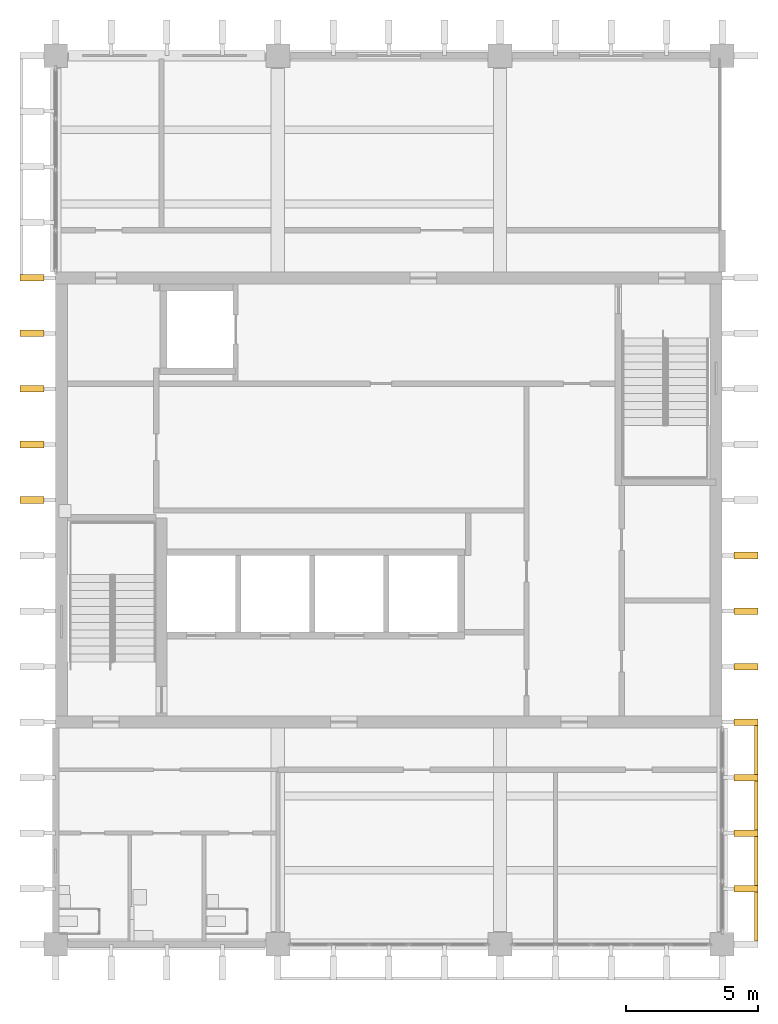
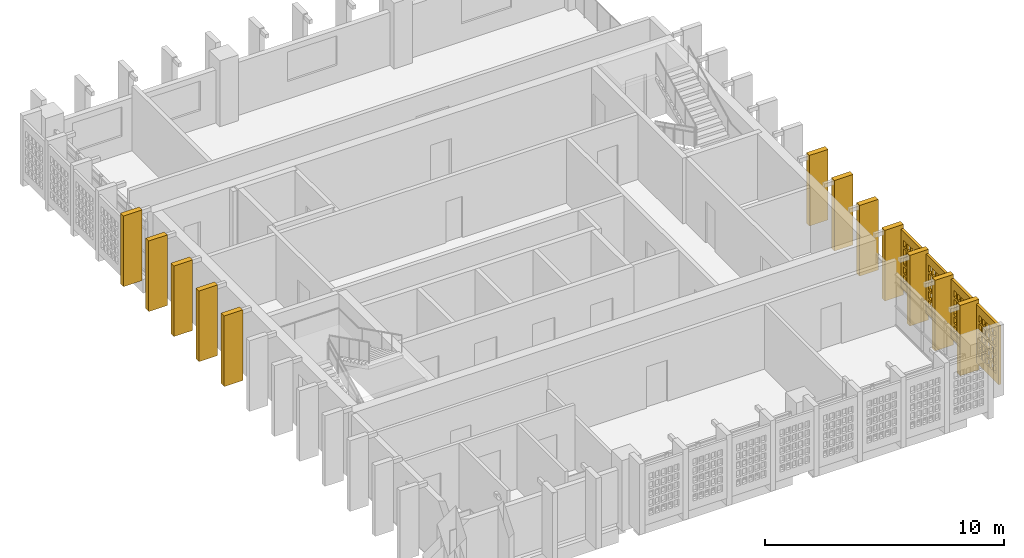
# One storey, part 10 of 13: 16 shading devices, 4 openings.
"""IFC4 building model written with IfcOpenShell, lengths in metres."""

import ifcopenshell
import ifcopenshell.guid

model = None  # the IFC model being written
_history = None  # IfcOwnerHistory: only IFC2X3 demands one
_inside = {}  # id of a spatial element -> (the spatial element, [elements in it])
_under = {}  # id of a project, library or spatial element -> (it, [spatial elements below it])
_declared = {}  # id of a project -> (the project, [libraries it declares])
_typed = {}  # id of a type object -> (the type object, [elements of that type])
_made_of = {}  # id of a material, layer set ... -> (it, [elements and type objects made of it])


def new_model(schema):
    """Start an empty IFC model of exactly this schema.

    Asked for "IFC4X3", IfcOpenShell would pick the latest addendum, in which some entities
    have other attributes; the version numbers below select the first issue.
    IFC2X3 requires an IfcOwnerHistory on every rooted entity: one is made here for all.
    """
    global model, _history
    if schema == "IFC4X3":
        model = ifcopenshell.file(schema_version=(4, 3, 0, 0))
    else:
        model = ifcopenshell.file(schema=schema)
    _inside.clear()
    _under.clear()
    _declared.clear()
    _typed.clear()
    _made_of.clear()
    _history = None
    if model.schema == "IFC2X3":
        org = make("IfcOrganization", Name="unknown")
        user = make(
            "IfcPersonAndOrganization",
            ThePerson=make("IfcPerson", FamilyName="unknown"),
            TheOrganization=org,
        )
        app = make(
            "IfcApplication",
            ApplicationDeveloper=org,
            Version="unknown",
            ApplicationFullName="unknown",
            ApplicationIdentifier="unknown",
        )
        _history = make(
            "IfcOwnerHistory",
            OwningUser=user,
            OwningApplication=app,
            ChangeAction="ADDED",
            CreationDate=0,
        )
    return model


def make(cls, **values):
    """One entity of the class cls with the attributes given. An attribute that is None is left unset."""
    return model.create_entity(
        cls, **{name: value for name, value in values.items() if value is not None}
    )


def rooted(cls, **values):
    """An entity with a GlobalId (a new one), such as an element, a storey or a relation."""
    return make(cls, GlobalId=ifcopenshell.guid.new(), OwnerHistory=_history, **values)


def si_unit(unit_type, name, prefix=None):
    """IfcSIUnit, for example si_unit("LENGTHUNIT", "METRE", prefix="MILLI")."""
    return make("IfcSIUnit", UnitType=unit_type, Prefix=prefix, Name=name)


def assignment(units):
    """IfcUnitAssignment: the units of a project."""
    return None if units is None else make("IfcUnitAssignment", Units=units)


def point(xyz):
    """IfcCartesianPoint."""
    return None if xyz is None else make("IfcCartesianPoint", Coordinates=xyz)


def direction(xyz):
    """IfcDirection."""
    return None if xyz is None else make("IfcDirection", DirectionRatios=xyz)


def frame(location, z_axis=None, x_axis=None):
    """IfcAxis2Placement3D, a coordinate frame: its origin and axes. An axis left out is left unset."""
    return make(
        "IfcAxis2Placement3D",
        Location=point(location),
        Axis=direction(z_axis),
        RefDirection=direction(x_axis),
    )


def frame_2d(location, x_axis=None):
    """IfcAxis2Placement2D, a coordinate frame in the plane: its origin and x axis."""
    return make(
        "IfcAxis2Placement2D", Location=point(location), RefDirection=direction(x_axis)
    )


def origin():
    """The frame at (0, 0, 0) with its axes left unset."""
    return frame((0.0, 0.0, 0.0))


def origin_2d():
    """The frame at (0, 0) in the plane with its x axis left unset."""
    return frame_2d((0.0, 0.0))


def place(relative_to, where):
    """IfcLocalPlacement: puts the frame where relative to a parent placement (None: the world)."""
    return make(
        "IfcLocalPlacement", PlacementRelTo=relative_to, RelativePlacement=where
    )


def context(
    kind, dimensions, precision=None, world=None, true_north=None, identifier=None
):
    """IfcGeometricRepresentationContext, for example the 3D "Model" context."""
    return make(
        "IfcGeometricRepresentationContext",
        ContextIdentifier=identifier,
        ContextType=kind,
        CoordinateSpaceDimension=dimensions,
        Precision=precision,
        WorldCoordinateSystem=world,
        TrueNorth=true_north,
    )


def subcontext(parent, identifier, kind, view, scale=None):
    """IfcGeometricRepresentationSubContext, for example "Body" below "Model"."""
    return make(
        "IfcGeometricRepresentationSubContext",
        ContextIdentifier=identifier,
        ContextType=kind,
        ParentContext=parent,
        TargetScale=scale,
        TargetView=view,
    )


def project(units=None, contexts=None):
    """IfcProject with its units and contexts."""
    return rooted(
        "IfcProject",
        Name="project",
        RepresentationContexts=contexts,
        UnitsInContext=assignment(units),
    )


def spatial(cls, under=None, at=None, **own):
    """A site, building, storey or space (cls), placed at a placement, below another one or the project."""
    s = rooted(cls, ObjectPlacement=at, **own)
    if under is not None:
        _under.setdefault(under.id(), (under, []))[1].append(s)
    return s


def profile(cls, at=None, kind="AREA", **sizes):
    """A parametric profile (cls). Its sizes go by their IFC names, for example OverallWidth=200.0."""
    return make(cls, ProfileType=kind, Position=at, **sizes)


def rectangle(**sizes):
    """IfcRectangleProfileDef."""
    return profile("IfcRectangleProfileDef", **sizes)


def extrude(swept, where, along, depth):
    """IfcExtrudedAreaSolid: the profile swept, set in the frame where, extruded along a direction by depth."""
    return make(
        "IfcExtrudedAreaSolid",
        SweptArea=swept,
        Position=where,
        ExtrudedDirection=direction(along),
        Depth=depth,
    )


def shape(context_of_items, identifier, shape_type, items):
    """IfcShapeRepresentation: the items that make up one representation, for example the "Body"."""
    return make(
        "IfcShapeRepresentation",
        ContextOfItems=context_of_items,
        RepresentationIdentifier=identifier,
        RepresentationType=shape_type,
        Items=items,
    )


def material(Name=None, Category=None):
    """IfcMaterial."""
    return make("IfcMaterial", Name=Name, Category=Category)


def layer(
    of_material, thickness, ventilated=None, Name=None, Category=None, Priority=None
):
    """IfcMaterialLayer: one layer of a wall or slab, of a material (None: an air gap)."""
    return make(
        "IfcMaterialLayer",
        Material=of_material,
        LayerThickness=thickness,
        IsVentilated=ventilated,
        Name=Name,
        Category=Category,
        Priority=Priority,
    )


def layer_set(layers, Name=None):
    """IfcMaterialLayerSet."""
    return make("IfcMaterialLayerSet", MaterialLayers=layers, LayerSetName=Name)


def material_profile(
    of_material, cross_section, Name=None, Category=None, Priority=None
):
    """IfcMaterialProfile: a cross section and its material."""
    return make(
        "IfcMaterialProfile",
        Name=Name,
        Material=of_material,
        Profile=cross_section,
        Priority=Priority,
        Category=Category,
    )


def profile_set(profiles, Name=None, composite=None):
    """IfcMaterialProfileSet."""
    return make(
        "IfcMaterialProfileSet",
        Name=Name,
        MaterialProfiles=profiles,
        CompositeProfile=composite,
    )


def made_of(thing, what):
    """Note that an element or type object is made of a material, layer set ...; save() writes the relation."""
    if what is not None:
        _made_of.setdefault(what.id(), (what, []))[1].append(thing)
    return thing


def type_object(cls, material=None, **own):
    """A type object (cls), such as IfcWallType, which elements share."""
    return made_of(rooted(cls, **own), material)


def element(
    cls,
    number,
    at=None,
    inside=None,
    cuts=None,
    type_object=None,
    material=None,
    context=None,
    identifier="Body",
    shape_type=None,
    held_by="IfcProductDefinitionShape",
    body=None,
    shapes=None,
    **own,
):
    """One element of the class cls, such as IfcWall. Its Tag is "e" and its number.

    at: its placement. inside: the storey or other place that contains it. cuts: it is an
    opening in that element (IfcRelVoidsElement). A single representation is given by context,
    identifier, shape_type and body (its items); several are given by shapes. held_by: the class
    of the entity that holds the representations. save() writes the other relations.
    """
    e = rooted(cls, Tag="e%d" % number, ObjectPlacement=at, **own)
    if body is not None:
        shapes = [shape(context, identifier, shape_type, body)]
    if shapes is not None:
        e.Representation = make(held_by, Representations=shapes)
    if inside is not None:
        _inside.setdefault(inside.id(), (inside, []))[1].append(e)
    if cuts is not None:
        rooted(
            "IfcRelVoidsElement", RelatingBuildingElement=cuts, RelatedOpeningElement=e
        )
    if type_object is not None:
        _typed.setdefault(type_object.id(), (type_object, []))[1].append(e)
    return made_of(e, material)


def aggregate(whole, parts):
    """IfcRelAggregates: a whole, such as a stair, and the parts it consists of."""
    return rooted("IfcRelAggregates", RelatingObject=whole, RelatedObjects=parts)


def save(model, path):
    """Write the relations noted so far, then the file.

    IfcRelAggregates (storeys below a building ...), IfcRelContainedInSpatialStructure (elements
    in a storey), IfcRelDefinesByType, IfcRelAssociatesMaterial and IfcRelDeclares: one each for
    every whole, place, type object, material and project.
    """
    for whole, parts in _under.values():
        aggregate(whole, parts)
    for where, things in _inside.values():
        rooted(
            "IfcRelContainedInSpatialStructure",
            RelatedElements=things,
            RelatingStructure=where,
        )
    for kind, things in _typed.values():
        rooted("IfcRelDefinesByType", RelatedObjects=things, RelatingType=kind)
    for what, things in _made_of.values():
        rooted("IfcRelAssociatesMaterial", RelatedObjects=things, RelatingMaterial=what)
    for by, libraries in _declared.values():
        rooted("IfcRelDeclares", RelatingContext=by, RelatedDefinitions=libraries)
    model.write(path)


model = new_model("IFC4")

# Units and contexts
model_context = context("Model", 3, precision=1e-05, world=origin(), true_north=direction((0.0, 1.0)))
body_context = subcontext(model_context, "Body", "Model", "MODEL_VIEW")
ifc_project = project(units=[si_unit("LENGTHUNIT", "METRE"), si_unit("AREAUNIT", "SQUARE_METRE"), si_unit("VOLUMEUNIT", "CUBIC_METRE"), si_unit("PLANEANGLEUNIT", "RADIAN"), si_unit("MASSUNIT", "GRAM", prefix="KILO")], contexts=[model_context])

# Site, building, storey
site_placement = place(None, origin())
site = spatial("IfcSite", under=ifc_project, at=site_placement, CompositionType="ELEMENT")
building_placement = place(site_placement, origin())
building = spatial("IfcBuilding", under=site, at=building_placement, Name="Rulbaag Community and Learning Centre", CompositionType="ELEMENT")
storey_placement = place(building_placement, frame((0.0, 0.0, 25.199951171875)))
storey = spatial("IfcBuildingStorey", under=building, at=storey_placement, Name="L06", CompositionType="ELEMENT", Elevation=25.199951171875)

# Shading devices
ifc_material = material(Name="Concrete M40", Category="concrete")
ifc_material_profile = material_profile(ifc_material, rectangle(XDim=0.25, YDim=0.89990234375, at=origin_2d()), Name="PC 250x900")
ifc_profile_set = profile_set([ifc_material_profile], Name="Concrete M40")
shading_device_type_1 = type_object("IfcShadingDeviceType", Name="FIN-H", PredefinedType="JALOUSIE", material=ifc_profile_set)
for number, where, z_axis, x_axis, name in (
    (1, (141.89990234375, 100.800048828125, 0.0), (0.0, 0.0, 1.0), (0.0, 1.0, 0.0), "Precast fin"),
    (2, (141.89990234375, 102.89990234375, 0.0), (0.0, 0.0, 1.0), (0.0, 1.0, 0.0), "Precast fin"),
    (3, (141.89990234375, 105.0, 0.0), (0.0, 0.0, 1.0), (0.0, 1.0, 0.0), "Precast fin"),
    (4, (141.89990234375, 107.10009765625, 0.0), (0.0, 0.0, 1.0), (0.0, 1.0, 0.0), "Precast fin"),
    (5, (141.89990234375, 109.199951171875, 0.0), (0.0, 0.0, 1.0), (0.0, 1.0, 0.0), "Precast fin"),
    (6, (168.89990234375, 86.10009765625, 0.0), (0.0, 0.0, 1.0), (0.0, 1.0, 0.0), "Precast fin"),
    (7, (168.89990234375, 88.199951171875, 0.0), (0.0, 0.0, 1.0), (0.0, 1.0, 0.0), "Precast fin"),
    (8, (168.89990234375, 90.300048828125, 0.0), (0.0, 0.0, 1.0), (0.0, 1.0, 0.0), "Precast fin"),
    (9, (168.89990234375, 92.39990234375, 0.0), (0.0, 0.0, 1.0), (0.0, 1.0, 0.0), "Precast fin"),
    (10, (168.89990234375, 94.5, 0.0), (0.0, 0.0, 1.0), (0.0, 1.0, 0.0), "Precast fin"),
    (11, (168.89990234375, 96.60009765625, 0.0), (0.0, 0.0, 1.0), (0.0, 1.0, 0.0), "Precast fin"),
    (12, (168.89990234375, 98.699951171875, 0.0), (0.0, 0.0, 1.0), (0.0, 1.0, 0.0), "Precast fin"),
):
    element("IfcShadingDevice", number, at=place(storey_placement, frame(where, z_axis=z_axis, x_axis=x_axis)), inside=storey, type_object=shading_device_type_1, Name=name, PredefinedType="JALOUSIE", context=body_context, shape_type="SweptSolid", body=[
        extrude(rectangle(XDim=0.25, YDim=0.89990234375, at=origin_2d()), origin(), (0.0, 0.0, 1.0), 3.60009765625),
    ])

# Shading device, opening
ifc_layer = layer(ifc_material, 0.1201171875)
ifc_layer_set = layer_set([ifc_layer], Name="JB-83")
shading_device_type_2 = type_object("IfcShadingDeviceType", Name="JB-83", PredefinedType="SHUTTER", material=ifc_layer_set)
shading_device_1_placement = place(storey_placement, frame((169.2900390625, 85.050048828125, 0.400146484375), z_axis=(0.0, 0.0, 1.0), x_axis=(1.0, 0.0, 0.0)))
shading_device_1 = element("IfcShadingDevice", 13, at=shading_device_1_placement, inside=storey, type_object=shading_device_type_2, Name="Jaali screen", PredefinedType="SHUTTER", context=body_context, shape_type="SweptSolid", body=[
    extrude(rectangle(XDim=0.1201171875, YDim=1.85009765625, at=origin_2d()), origin(), (0.0, 0.0, 1.0), 3.0),
])
opening_1_placement = place(shading_device_1_placement, origin())
element("IfcOpeningElement", 14, at=opening_1_placement, cuts=shading_device_1, Name="Perforation JB1", PredefinedType="OPENING", context=body_context, shape_type="SweptSolid", body=[
    extrude(rectangle(XDim=0.22509765625, YDim=0.340087890625, at=origin_2d()), frame((-0.070068359375, -0.60009765625, 0.60009765625), z_axis=(1.0, 0.0, 0.0), x_axis=(0.0, 1.0, 0.0)), (0.0, 0.0, 1.0), 0.139892578125),
    extrude(rectangle(XDim=0.22509765625, YDim=0.340087890625, at=origin_2d()), frame((-0.070068359375, -0.300048828125, 0.60009765625), z_axis=(1.0, 0.0, 0.0), x_axis=(0.0, 1.0, 0.0)), (0.0, 0.0, 1.0), 0.139892578125),
    extrude(rectangle(XDim=0.22509765625, YDim=0.340087890625, at=origin_2d()), frame((-0.070068359375, 0.0, 0.60009765625), z_axis=(1.0, 0.0, 0.0), x_axis=(0.0, 1.0, 0.0)), (0.0, 0.0, 1.0), 0.139892578125),
    extrude(rectangle(XDim=0.22509765625, YDim=0.340087890625, at=origin_2d()), frame((-0.070068359375, 0.300048828125, 0.60009765625), z_axis=(1.0, 0.0, 0.0), x_axis=(0.0, 1.0, 0.0)), (0.0, 0.0, 1.0), 0.139892578125),
    extrude(rectangle(XDim=0.22509765625, YDim=0.340087890625, at=origin_2d()), frame((-0.070068359375, 0.60009765625, 0.60009765625), z_axis=(1.0, 0.0, 0.0), x_axis=(0.0, 1.0, 0.0)), (0.0, 0.0, 1.0), 0.139892578125),
    extrude(rectangle(XDim=0.22509765625, YDim=0.340087890625, at=origin_2d()), frame((-0.070068359375, -0.60009765625, 1.050048828125), z_axis=(1.0, 0.0, 0.0), x_axis=(0.0, 1.0, 0.0)), (0.0, 0.0, 1.0), 0.139892578125),
    extrude(rectangle(XDim=0.22509765625, YDim=0.340087890625, at=origin_2d()), frame((-0.070068359375, -0.300048828125, 1.050048828125), z_axis=(1.0, 0.0, 0.0), x_axis=(0.0, 1.0, 0.0)), (0.0, 0.0, 1.0), 0.139892578125),
    extrude(rectangle(XDim=0.22509765625, YDim=0.340087890625, at=origin_2d()), frame((-0.070068359375, 0.0, 1.050048828125), z_axis=(1.0, 0.0, 0.0), x_axis=(0.0, 1.0, 0.0)), (0.0, 0.0, 1.0), 0.139892578125),
    extrude(rectangle(XDim=0.22509765625, YDim=0.340087890625, at=origin_2d()), frame((-0.070068359375, 0.300048828125, 1.050048828125), z_axis=(1.0, 0.0, 0.0), x_axis=(0.0, 1.0, 0.0)), (0.0, 0.0, 1.0), 0.139892578125),
    extrude(rectangle(XDim=0.22509765625, YDim=0.340087890625, at=origin_2d()), frame((-0.070068359375, 0.60009765625, 1.050048828125), z_axis=(1.0, 0.0, 0.0), x_axis=(0.0, 1.0, 0.0)), (0.0, 0.0, 1.0), 0.139892578125),
    extrude(rectangle(XDim=0.22509765625, YDim=0.340087890625, at=origin_2d()), frame((-0.070068359375, -0.60009765625, 1.5), z_axis=(1.0, 0.0, 0.0), x_axis=(0.0, 1.0, 0.0)), (0.0, 0.0, 1.0), 0.139892578125),
    extrude(rectangle(XDim=0.22509765625, YDim=0.340087890625, at=origin_2d()), frame((-0.070068359375, -0.300048828125, 1.5), z_axis=(1.0, 0.0, 0.0), x_axis=(0.0, 1.0, 0.0)), (0.0, 0.0, 1.0), 0.139892578125),
    extrude(rectangle(XDim=0.22509765625, YDim=0.340087890625, at=origin_2d()), frame((-0.070068359375, 0.0, 1.5), z_axis=(1.0, 0.0, 0.0), x_axis=(0.0, 1.0, 0.0)), (0.0, 0.0, 1.0), 0.139892578125),
    extrude(rectangle(XDim=0.22509765625, YDim=0.340087890625, at=origin_2d()), frame((-0.070068359375, 0.300048828125, 1.5), z_axis=(1.0, 0.0, 0.0), x_axis=(0.0, 1.0, 0.0)), (0.0, 0.0, 1.0), 0.139892578125),
    extrude(rectangle(XDim=0.22509765625, YDim=0.340087890625, at=origin_2d()), frame((-0.070068359375, 0.60009765625, 1.5), z_axis=(1.0, 0.0, 0.0), x_axis=(0.0, 1.0, 0.0)), (0.0, 0.0, 1.0), 0.139892578125),
    extrude(rectangle(XDim=0.22509765625, YDim=0.340087890625, at=origin_2d()), frame((-0.070068359375, -0.60009765625, 1.949951171875), z_axis=(1.0, 0.0, 0.0), x_axis=(0.0, 1.0, 0.0)), (0.0, 0.0, 1.0), 0.139892578125),
    extrude(rectangle(XDim=0.22509765625, YDim=0.340087890625, at=origin_2d()), frame((-0.070068359375, -0.300048828125, 1.949951171875), z_axis=(1.0, 0.0, 0.0), x_axis=(0.0, 1.0, 0.0)), (0.0, 0.0, 1.0), 0.139892578125),
    extrude(rectangle(XDim=0.22509765625, YDim=0.340087890625, at=origin_2d()), frame((-0.070068359375, 0.0, 1.949951171875), z_axis=(1.0, 0.0, 0.0), x_axis=(0.0, 1.0, 0.0)), (0.0, 0.0, 1.0), 0.139892578125),
    extrude(rectangle(XDim=0.22509765625, YDim=0.340087890625, at=origin_2d()), frame((-0.070068359375, 0.300048828125, 1.949951171875), z_axis=(1.0, 0.0, 0.0), x_axis=(0.0, 1.0, 0.0)), (0.0, 0.0, 1.0), 0.139892578125),
    extrude(rectangle(XDim=0.22509765625, YDim=0.340087890625, at=origin_2d()), frame((-0.070068359375, 0.60009765625, 1.949951171875), z_axis=(1.0, 0.0, 0.0), x_axis=(0.0, 1.0, 0.0)), (0.0, 0.0, 1.0), 0.139892578125),
    extrude(rectangle(XDim=0.22509765625, YDim=0.340087890625, at=origin_2d()), frame((-0.070068359375, -0.60009765625, 2.39990234375), z_axis=(1.0, 0.0, 0.0), x_axis=(0.0, 1.0, 0.0)), (0.0, 0.0, 1.0), 0.139892578125),
    extrude(rectangle(XDim=0.22509765625, YDim=0.340087890625, at=origin_2d()), frame((-0.070068359375, -0.300048828125, 2.39990234375), z_axis=(1.0, 0.0, 0.0), x_axis=(0.0, 1.0, 0.0)), (0.0, 0.0, 1.0), 0.139892578125),
    extrude(rectangle(XDim=0.22509765625, YDim=0.340087890625, at=origin_2d()), frame((-0.070068359375, 0.0, 2.39990234375), z_axis=(1.0, 0.0, 0.0), x_axis=(0.0, 1.0, 0.0)), (0.0, 0.0, 1.0), 0.139892578125),
    extrude(rectangle(XDim=0.22509765625, YDim=0.340087890625, at=origin_2d()), frame((-0.070068359375, 0.300048828125, 2.39990234375), z_axis=(1.0, 0.0, 0.0), x_axis=(0.0, 1.0, 0.0)), (0.0, 0.0, 1.0), 0.139892578125),
    extrude(rectangle(XDim=0.22509765625, YDim=0.340087890625, at=origin_2d()), frame((-0.070068359375, 0.60009765625, 2.39990234375), z_axis=(1.0, 0.0, 0.0), x_axis=(0.0, 1.0, 0.0)), (0.0, 0.0, 1.0), 0.139892578125),
])

shading_device_2_placement = place(storey_placement, frame((169.2900390625, 87.14990234375, 0.400146484375), z_axis=(0.0, 0.0, 1.0), x_axis=(1.0, 0.0, 0.0)))
shading_device_2 = element("IfcShadingDevice", 15, at=shading_device_2_placement, inside=storey, type_object=shading_device_type_2, Name="Jaali screen", PredefinedType="SHUTTER", context=body_context, shape_type="SweptSolid", body=[
    extrude(rectangle(XDim=0.1201171875, YDim=1.85009765625, at=origin_2d()), origin(), (0.0, 0.0, 1.0), 3.0),
])
opening_2_placement = place(shading_device_2_placement, origin())
element("IfcOpeningElement", 16, at=opening_2_placement, cuts=shading_device_2, Name="Perforation JB1", PredefinedType="OPENING", context=body_context, shape_type="SweptSolid", body=[
    extrude(rectangle(XDim=0.22509765625, YDim=0.340087890625, at=origin_2d()), frame((-0.070068359375, -0.60009765625, 0.60009765625), z_axis=(1.0, 0.0, 0.0), x_axis=(0.0, 1.0, 0.0)), (0.0, 0.0, 1.0), 0.139892578125),
    extrude(rectangle(XDim=0.22509765625, YDim=0.340087890625, at=origin_2d()), frame((-0.070068359375, -0.300048828125, 0.60009765625), z_axis=(1.0, 0.0, 0.0), x_axis=(0.0, 1.0, 0.0)), (0.0, 0.0, 1.0), 0.139892578125),
    extrude(rectangle(XDim=0.22509765625, YDim=0.340087890625, at=origin_2d()), frame((-0.070068359375, 0.0, 0.60009765625), z_axis=(1.0, 0.0, 0.0), x_axis=(0.0, 1.0, 0.0)), (0.0, 0.0, 1.0), 0.139892578125),
    extrude(rectangle(XDim=0.22509765625, YDim=0.340087890625, at=origin_2d()), frame((-0.070068359375, 0.300048828125, 0.60009765625), z_axis=(1.0, 0.0, 0.0), x_axis=(0.0, 1.0, 0.0)), (0.0, 0.0, 1.0), 0.139892578125),
    extrude(rectangle(XDim=0.22509765625, YDim=0.340087890625, at=origin_2d()), frame((-0.070068359375, 0.60009765625, 0.60009765625), z_axis=(1.0, 0.0, 0.0), x_axis=(0.0, 1.0, 0.0)), (0.0, 0.0, 1.0), 0.139892578125),
    extrude(rectangle(XDim=0.22509765625, YDim=0.340087890625, at=origin_2d()), frame((-0.070068359375, -0.60009765625, 1.050048828125), z_axis=(1.0, 0.0, 0.0), x_axis=(0.0, 1.0, 0.0)), (0.0, 0.0, 1.0), 0.139892578125),
    extrude(rectangle(XDim=0.22509765625, YDim=0.340087890625, at=origin_2d()), frame((-0.070068359375, -0.300048828125, 1.050048828125), z_axis=(1.0, 0.0, 0.0), x_axis=(0.0, 1.0, 0.0)), (0.0, 0.0, 1.0), 0.139892578125),
    extrude(rectangle(XDim=0.22509765625, YDim=0.340087890625, at=origin_2d()), frame((-0.070068359375, 0.0, 1.050048828125), z_axis=(1.0, 0.0, 0.0), x_axis=(0.0, 1.0, 0.0)), (0.0, 0.0, 1.0), 0.139892578125),
    extrude(rectangle(XDim=0.22509765625, YDim=0.340087890625, at=origin_2d()), frame((-0.070068359375, 0.300048828125, 1.050048828125), z_axis=(1.0, 0.0, 0.0), x_axis=(0.0, 1.0, 0.0)), (0.0, 0.0, 1.0), 0.139892578125),
    extrude(rectangle(XDim=0.22509765625, YDim=0.340087890625, at=origin_2d()), frame((-0.070068359375, 0.60009765625, 1.050048828125), z_axis=(1.0, 0.0, 0.0), x_axis=(0.0, 1.0, 0.0)), (0.0, 0.0, 1.0), 0.139892578125),
    extrude(rectangle(XDim=0.22509765625, YDim=0.340087890625, at=origin_2d()), frame((-0.070068359375, -0.60009765625, 1.5), z_axis=(1.0, 0.0, 0.0), x_axis=(0.0, 1.0, 0.0)), (0.0, 0.0, 1.0), 0.139892578125),
    extrude(rectangle(XDim=0.22509765625, YDim=0.340087890625, at=origin_2d()), frame((-0.070068359375, -0.300048828125, 1.5), z_axis=(1.0, 0.0, 0.0), x_axis=(0.0, 1.0, 0.0)), (0.0, 0.0, 1.0), 0.139892578125),
    extrude(rectangle(XDim=0.22509765625, YDim=0.340087890625, at=origin_2d()), frame((-0.070068359375, 0.0, 1.5), z_axis=(1.0, 0.0, 0.0), x_axis=(0.0, 1.0, 0.0)), (0.0, 0.0, 1.0), 0.139892578125),
    extrude(rectangle(XDim=0.22509765625, YDim=0.340087890625, at=origin_2d()), frame((-0.070068359375, 0.300048828125, 1.5), z_axis=(1.0, 0.0, 0.0), x_axis=(0.0, 1.0, 0.0)), (0.0, 0.0, 1.0), 0.139892578125),
    extrude(rectangle(XDim=0.22509765625, YDim=0.340087890625, at=origin_2d()), frame((-0.070068359375, 0.60009765625, 1.5), z_axis=(1.0, 0.0, 0.0), x_axis=(0.0, 1.0, 0.0)), (0.0, 0.0, 1.0), 0.139892578125),
    extrude(rectangle(XDim=0.22509765625, YDim=0.340087890625, at=origin_2d()), frame((-0.070068359375, -0.60009765625, 1.949951171875), z_axis=(1.0, 0.0, 0.0), x_axis=(0.0, 1.0, 0.0)), (0.0, 0.0, 1.0), 0.139892578125),
    extrude(rectangle(XDim=0.22509765625, YDim=0.340087890625, at=origin_2d()), frame((-0.070068359375, -0.300048828125, 1.949951171875), z_axis=(1.0, 0.0, 0.0), x_axis=(0.0, 1.0, 0.0)), (0.0, 0.0, 1.0), 0.139892578125),
    extrude(rectangle(XDim=0.22509765625, YDim=0.340087890625, at=origin_2d()), frame((-0.070068359375, 0.0, 1.949951171875), z_axis=(1.0, 0.0, 0.0), x_axis=(0.0, 1.0, 0.0)), (0.0, 0.0, 1.0), 0.139892578125),
    extrude(rectangle(XDim=0.22509765625, YDim=0.340087890625, at=origin_2d()), frame((-0.070068359375, 0.300048828125, 1.949951171875), z_axis=(1.0, 0.0, 0.0), x_axis=(0.0, 1.0, 0.0)), (0.0, 0.0, 1.0), 0.139892578125),
    extrude(rectangle(XDim=0.22509765625, YDim=0.340087890625, at=origin_2d()), frame((-0.070068359375, 0.60009765625, 1.949951171875), z_axis=(1.0, 0.0, 0.0), x_axis=(0.0, 1.0, 0.0)), (0.0, 0.0, 1.0), 0.139892578125),
    extrude(rectangle(XDim=0.22509765625, YDim=0.340087890625, at=origin_2d()), frame((-0.070068359375, -0.60009765625, 2.39990234375), z_axis=(1.0, 0.0, 0.0), x_axis=(0.0, 1.0, 0.0)), (0.0, 0.0, 1.0), 0.139892578125),
    extrude(rectangle(XDim=0.22509765625, YDim=0.340087890625, at=origin_2d()), frame((-0.070068359375, -0.300048828125, 2.39990234375), z_axis=(1.0, 0.0, 0.0), x_axis=(0.0, 1.0, 0.0)), (0.0, 0.0, 1.0), 0.139892578125),
    extrude(rectangle(XDim=0.22509765625, YDim=0.340087890625, at=origin_2d()), frame((-0.070068359375, 0.0, 2.39990234375), z_axis=(1.0, 0.0, 0.0), x_axis=(0.0, 1.0, 0.0)), (0.0, 0.0, 1.0), 0.139892578125),
    extrude(rectangle(XDim=0.22509765625, YDim=0.340087890625, at=origin_2d()), frame((-0.070068359375, 0.300048828125, 2.39990234375), z_axis=(1.0, 0.0, 0.0), x_axis=(0.0, 1.0, 0.0)), (0.0, 0.0, 1.0), 0.139892578125),
    extrude(rectangle(XDim=0.22509765625, YDim=0.340087890625, at=origin_2d()), frame((-0.070068359375, 0.60009765625, 2.39990234375), z_axis=(1.0, 0.0, 0.0), x_axis=(0.0, 1.0, 0.0)), (0.0, 0.0, 1.0), 0.139892578125),
])

shading_device_3_placement = place(storey_placement, frame((169.2900390625, 89.25, 0.400146484375), z_axis=(0.0, 0.0, 1.0), x_axis=(1.0, 0.0, 0.0)))
shading_device_3 = element("IfcShadingDevice", 17, at=shading_device_3_placement, inside=storey, type_object=shading_device_type_2, Name="Jaali screen", PredefinedType="SHUTTER", context=body_context, shape_type="SweptSolid", body=[
    extrude(rectangle(XDim=0.1201171875, YDim=1.85009765625, at=origin_2d()), origin(), (0.0, 0.0, 1.0), 3.0),
])
opening_3_placement = place(shading_device_3_placement, origin())
element("IfcOpeningElement", 18, at=opening_3_placement, cuts=shading_device_3, Name="Perforation JB1", PredefinedType="OPENING", context=body_context, shape_type="SweptSolid", body=[
    extrude(rectangle(XDim=0.22509765625, YDim=0.340087890625, at=origin_2d()), frame((-0.070068359375, -0.60009765625, 0.60009765625), z_axis=(1.0, 0.0, 0.0), x_axis=(0.0, 1.0, 0.0)), (0.0, 0.0, 1.0), 0.139892578125),
    extrude(rectangle(XDim=0.22509765625, YDim=0.340087890625, at=origin_2d()), frame((-0.070068359375, -0.300048828125, 0.60009765625), z_axis=(1.0, 0.0, 0.0), x_axis=(0.0, 1.0, 0.0)), (0.0, 0.0, 1.0), 0.139892578125),
    extrude(rectangle(XDim=0.22509765625, YDim=0.340087890625, at=origin_2d()), frame((-0.070068359375, 0.0, 0.60009765625), z_axis=(1.0, 0.0, 0.0), x_axis=(0.0, 1.0, 0.0)), (0.0, 0.0, 1.0), 0.139892578125),
    extrude(rectangle(XDim=0.22509765625, YDim=0.340087890625, at=origin_2d()), frame((-0.070068359375, 0.300048828125, 0.60009765625), z_axis=(1.0, 0.0, 0.0), x_axis=(0.0, 1.0, 0.0)), (0.0, 0.0, 1.0), 0.139892578125),
    extrude(rectangle(XDim=0.22509765625, YDim=0.340087890625, at=origin_2d()), frame((-0.070068359375, 0.60009765625, 0.60009765625), z_axis=(1.0, 0.0, 0.0), x_axis=(0.0, 1.0, 0.0)), (0.0, 0.0, 1.0), 0.139892578125),
    extrude(rectangle(XDim=0.22509765625, YDim=0.340087890625, at=origin_2d()), frame((-0.070068359375, -0.60009765625, 1.050048828125), z_axis=(1.0, 0.0, 0.0), x_axis=(0.0, 1.0, 0.0)), (0.0, 0.0, 1.0), 0.139892578125),
    extrude(rectangle(XDim=0.22509765625, YDim=0.340087890625, at=origin_2d()), frame((-0.070068359375, -0.300048828125, 1.050048828125), z_axis=(1.0, 0.0, 0.0), x_axis=(0.0, 1.0, 0.0)), (0.0, 0.0, 1.0), 0.139892578125),
    extrude(rectangle(XDim=0.22509765625, YDim=0.340087890625, at=origin_2d()), frame((-0.070068359375, 0.0, 1.050048828125), z_axis=(1.0, 0.0, 0.0), x_axis=(0.0, 1.0, 0.0)), (0.0, 0.0, 1.0), 0.139892578125),
    extrude(rectangle(XDim=0.22509765625, YDim=0.340087890625, at=origin_2d()), frame((-0.070068359375, 0.300048828125, 1.050048828125), z_axis=(1.0, 0.0, 0.0), x_axis=(0.0, 1.0, 0.0)), (0.0, 0.0, 1.0), 0.139892578125),
    extrude(rectangle(XDim=0.22509765625, YDim=0.340087890625, at=origin_2d()), frame((-0.070068359375, 0.60009765625, 1.050048828125), z_axis=(1.0, 0.0, 0.0), x_axis=(0.0, 1.0, 0.0)), (0.0, 0.0, 1.0), 0.139892578125),
    extrude(rectangle(XDim=0.22509765625, YDim=0.340087890625, at=origin_2d()), frame((-0.070068359375, -0.60009765625, 1.5), z_axis=(1.0, 0.0, 0.0), x_axis=(0.0, 1.0, 0.0)), (0.0, 0.0, 1.0), 0.139892578125),
    extrude(rectangle(XDim=0.22509765625, YDim=0.340087890625, at=origin_2d()), frame((-0.070068359375, -0.300048828125, 1.5), z_axis=(1.0, 0.0, 0.0), x_axis=(0.0, 1.0, 0.0)), (0.0, 0.0, 1.0), 0.139892578125),
    extrude(rectangle(XDim=0.22509765625, YDim=0.340087890625, at=origin_2d()), frame((-0.070068359375, 0.0, 1.5), z_axis=(1.0, 0.0, 0.0), x_axis=(0.0, 1.0, 0.0)), (0.0, 0.0, 1.0), 0.139892578125),
    extrude(rectangle(XDim=0.22509765625, YDim=0.340087890625, at=origin_2d()), frame((-0.070068359375, 0.300048828125, 1.5), z_axis=(1.0, 0.0, 0.0), x_axis=(0.0, 1.0, 0.0)), (0.0, 0.0, 1.0), 0.139892578125),
    extrude(rectangle(XDim=0.22509765625, YDim=0.340087890625, at=origin_2d()), frame((-0.070068359375, 0.60009765625, 1.5), z_axis=(1.0, 0.0, 0.0), x_axis=(0.0, 1.0, 0.0)), (0.0, 0.0, 1.0), 0.139892578125),
    extrude(rectangle(XDim=0.22509765625, YDim=0.340087890625, at=origin_2d()), frame((-0.070068359375, -0.60009765625, 1.949951171875), z_axis=(1.0, 0.0, 0.0), x_axis=(0.0, 1.0, 0.0)), (0.0, 0.0, 1.0), 0.139892578125),
    extrude(rectangle(XDim=0.22509765625, YDim=0.340087890625, at=origin_2d()), frame((-0.070068359375, -0.300048828125, 1.949951171875), z_axis=(1.0, 0.0, 0.0), x_axis=(0.0, 1.0, 0.0)), (0.0, 0.0, 1.0), 0.139892578125),
    extrude(rectangle(XDim=0.22509765625, YDim=0.340087890625, at=origin_2d()), frame((-0.070068359375, 0.0, 1.949951171875), z_axis=(1.0, 0.0, 0.0), x_axis=(0.0, 1.0, 0.0)), (0.0, 0.0, 1.0), 0.139892578125),
    extrude(rectangle(XDim=0.22509765625, YDim=0.340087890625, at=origin_2d()), frame((-0.070068359375, 0.300048828125, 1.949951171875), z_axis=(1.0, 0.0, 0.0), x_axis=(0.0, 1.0, 0.0)), (0.0, 0.0, 1.0), 0.139892578125),
    extrude(rectangle(XDim=0.22509765625, YDim=0.340087890625, at=origin_2d()), frame((-0.070068359375, 0.60009765625, 1.949951171875), z_axis=(1.0, 0.0, 0.0), x_axis=(0.0, 1.0, 0.0)), (0.0, 0.0, 1.0), 0.139892578125),
    extrude(rectangle(XDim=0.22509765625, YDim=0.340087890625, at=origin_2d()), frame((-0.070068359375, -0.60009765625, 2.39990234375), z_axis=(1.0, 0.0, 0.0), x_axis=(0.0, 1.0, 0.0)), (0.0, 0.0, 1.0), 0.139892578125),
    extrude(rectangle(XDim=0.22509765625, YDim=0.340087890625, at=origin_2d()), frame((-0.070068359375, -0.300048828125, 2.39990234375), z_axis=(1.0, 0.0, 0.0), x_axis=(0.0, 1.0, 0.0)), (0.0, 0.0, 1.0), 0.139892578125),
    extrude(rectangle(XDim=0.22509765625, YDim=0.340087890625, at=origin_2d()), frame((-0.070068359375, 0.0, 2.39990234375), z_axis=(1.0, 0.0, 0.0), x_axis=(0.0, 1.0, 0.0)), (0.0, 0.0, 1.0), 0.139892578125),
    extrude(rectangle(XDim=0.22509765625, YDim=0.340087890625, at=origin_2d()), frame((-0.070068359375, 0.300048828125, 2.39990234375), z_axis=(1.0, 0.0, 0.0), x_axis=(0.0, 1.0, 0.0)), (0.0, 0.0, 1.0), 0.139892578125),
    extrude(rectangle(XDim=0.22509765625, YDim=0.340087890625, at=origin_2d()), frame((-0.070068359375, 0.60009765625, 2.39990234375), z_axis=(1.0, 0.0, 0.0), x_axis=(0.0, 1.0, 0.0)), (0.0, 0.0, 1.0), 0.139892578125),
])

shading_device_4_placement = place(storey_placement, frame((169.2900390625, 91.35009765625, 0.400146484375), z_axis=(0.0, 0.0, 1.0), x_axis=(1.0, 0.0, 0.0)))
shading_device_4 = element("IfcShadingDevice", 19, at=shading_device_4_placement, inside=storey, type_object=shading_device_type_2, Name="Jaali screen", PredefinedType="SHUTTER", context=body_context, shape_type="SweptSolid", body=[
    extrude(rectangle(XDim=0.1201171875, YDim=1.85009765625, at=origin_2d()), origin(), (0.0, 0.0, 1.0), 3.0),
])
opening_4_placement = place(shading_device_4_placement, origin())
element("IfcOpeningElement", 20, at=opening_4_placement, cuts=shading_device_4, Name="Perforation JB1", PredefinedType="OPENING", context=body_context, shape_type="SweptSolid", body=[
    extrude(rectangle(XDim=0.22509765625, YDim=0.340087890625, at=origin_2d()), frame((-0.070068359375, -0.60009765625, 0.60009765625), z_axis=(1.0, 0.0, 0.0), x_axis=(0.0, 1.0, 0.0)), (0.0, 0.0, 1.0), 0.139892578125),
    extrude(rectangle(XDim=0.22509765625, YDim=0.340087890625, at=origin_2d()), frame((-0.070068359375, -0.300048828125, 0.60009765625), z_axis=(1.0, 0.0, 0.0), x_axis=(0.0, 1.0, 0.0)), (0.0, 0.0, 1.0), 0.139892578125),
    extrude(rectangle(XDim=0.22509765625, YDim=0.340087890625, at=origin_2d()), frame((-0.070068359375, 0.0, 0.60009765625), z_axis=(1.0, 0.0, 0.0), x_axis=(0.0, 1.0, 0.0)), (0.0, 0.0, 1.0), 0.139892578125),
    extrude(rectangle(XDim=0.22509765625, YDim=0.340087890625, at=origin_2d()), frame((-0.070068359375, 0.300048828125, 0.60009765625), z_axis=(1.0, 0.0, 0.0), x_axis=(0.0, 1.0, 0.0)), (0.0, 0.0, 1.0), 0.139892578125),
    extrude(rectangle(XDim=0.22509765625, YDim=0.340087890625, at=origin_2d()), frame((-0.070068359375, 0.60009765625, 0.60009765625), z_axis=(1.0, 0.0, 0.0), x_axis=(0.0, 1.0, 0.0)), (0.0, 0.0, 1.0), 0.139892578125),
    extrude(rectangle(XDim=0.22509765625, YDim=0.340087890625, at=origin_2d()), frame((-0.070068359375, -0.60009765625, 1.050048828125), z_axis=(1.0, 0.0, 0.0), x_axis=(0.0, 1.0, 0.0)), (0.0, 0.0, 1.0), 0.139892578125),
    extrude(rectangle(XDim=0.22509765625, YDim=0.340087890625, at=origin_2d()), frame((-0.070068359375, -0.300048828125, 1.050048828125), z_axis=(1.0, 0.0, 0.0), x_axis=(0.0, 1.0, 0.0)), (0.0, 0.0, 1.0), 0.139892578125),
    extrude(rectangle(XDim=0.22509765625, YDim=0.340087890625, at=origin_2d()), frame((-0.070068359375, 0.0, 1.050048828125), z_axis=(1.0, 0.0, 0.0), x_axis=(0.0, 1.0, 0.0)), (0.0, 0.0, 1.0), 0.139892578125),
    extrude(rectangle(XDim=0.22509765625, YDim=0.340087890625, at=origin_2d()), frame((-0.070068359375, 0.300048828125, 1.050048828125), z_axis=(1.0, 0.0, 0.0), x_axis=(0.0, 1.0, 0.0)), (0.0, 0.0, 1.0), 0.139892578125),
    extrude(rectangle(XDim=0.22509765625, YDim=0.340087890625, at=origin_2d()), frame((-0.070068359375, 0.60009765625, 1.050048828125), z_axis=(1.0, 0.0, 0.0), x_axis=(0.0, 1.0, 0.0)), (0.0, 0.0, 1.0), 0.139892578125),
    extrude(rectangle(XDim=0.22509765625, YDim=0.340087890625, at=origin_2d()), frame((-0.070068359375, -0.60009765625, 1.5), z_axis=(1.0, 0.0, 0.0), x_axis=(0.0, 1.0, 0.0)), (0.0, 0.0, 1.0), 0.139892578125),
    extrude(rectangle(XDim=0.22509765625, YDim=0.340087890625, at=origin_2d()), frame((-0.070068359375, -0.300048828125, 1.5), z_axis=(1.0, 0.0, 0.0), x_axis=(0.0, 1.0, 0.0)), (0.0, 0.0, 1.0), 0.139892578125),
    extrude(rectangle(XDim=0.22509765625, YDim=0.340087890625, at=origin_2d()), frame((-0.070068359375, 0.0, 1.5), z_axis=(1.0, 0.0, 0.0), x_axis=(0.0, 1.0, 0.0)), (0.0, 0.0, 1.0), 0.139892578125),
    extrude(rectangle(XDim=0.22509765625, YDim=0.340087890625, at=origin_2d()), frame((-0.070068359375, 0.300048828125, 1.5), z_axis=(1.0, 0.0, 0.0), x_axis=(0.0, 1.0, 0.0)), (0.0, 0.0, 1.0), 0.139892578125),
    extrude(rectangle(XDim=0.22509765625, YDim=0.340087890625, at=origin_2d()), frame((-0.070068359375, 0.60009765625, 1.5), z_axis=(1.0, 0.0, 0.0), x_axis=(0.0, 1.0, 0.0)), (0.0, 0.0, 1.0), 0.139892578125),
    extrude(rectangle(XDim=0.22509765625, YDim=0.340087890625, at=origin_2d()), frame((-0.070068359375, -0.60009765625, 1.949951171875), z_axis=(1.0, 0.0, 0.0), x_axis=(0.0, 1.0, 0.0)), (0.0, 0.0, 1.0), 0.139892578125),
    extrude(rectangle(XDim=0.22509765625, YDim=0.340087890625, at=origin_2d()), frame((-0.070068359375, -0.300048828125, 1.949951171875), z_axis=(1.0, 0.0, 0.0), x_axis=(0.0, 1.0, 0.0)), (0.0, 0.0, 1.0), 0.139892578125),
    extrude(rectangle(XDim=0.22509765625, YDim=0.340087890625, at=origin_2d()), frame((-0.070068359375, 0.0, 1.949951171875), z_axis=(1.0, 0.0, 0.0), x_axis=(0.0, 1.0, 0.0)), (0.0, 0.0, 1.0), 0.139892578125),
    extrude(rectangle(XDim=0.22509765625, YDim=0.340087890625, at=origin_2d()), frame((-0.070068359375, 0.300048828125, 1.949951171875), z_axis=(1.0, 0.0, 0.0), x_axis=(0.0, 1.0, 0.0)), (0.0, 0.0, 1.0), 0.139892578125),
    extrude(rectangle(XDim=0.22509765625, YDim=0.340087890625, at=origin_2d()), frame((-0.070068359375, 0.60009765625, 1.949951171875), z_axis=(1.0, 0.0, 0.0), x_axis=(0.0, 1.0, 0.0)), (0.0, 0.0, 1.0), 0.139892578125),
    extrude(rectangle(XDim=0.22509765625, YDim=0.340087890625, at=origin_2d()), frame((-0.070068359375, -0.60009765625, 2.39990234375), z_axis=(1.0, 0.0, 0.0), x_axis=(0.0, 1.0, 0.0)), (0.0, 0.0, 1.0), 0.139892578125),
    extrude(rectangle(XDim=0.22509765625, YDim=0.340087890625, at=origin_2d()), frame((-0.070068359375, -0.300048828125, 2.39990234375), z_axis=(1.0, 0.0, 0.0), x_axis=(0.0, 1.0, 0.0)), (0.0, 0.0, 1.0), 0.139892578125),
    extrude(rectangle(XDim=0.22509765625, YDim=0.340087890625, at=origin_2d()), frame((-0.070068359375, 0.0, 2.39990234375), z_axis=(1.0, 0.0, 0.0), x_axis=(0.0, 1.0, 0.0)), (0.0, 0.0, 1.0), 0.139892578125),
    extrude(rectangle(XDim=0.22509765625, YDim=0.340087890625, at=origin_2d()), frame((-0.070068359375, 0.300048828125, 2.39990234375), z_axis=(1.0, 0.0, 0.0), x_axis=(0.0, 1.0, 0.0)), (0.0, 0.0, 1.0), 0.139892578125),
    extrude(rectangle(XDim=0.22509765625, YDim=0.340087890625, at=origin_2d()), frame((-0.070068359375, 0.60009765625, 2.39990234375), z_axis=(1.0, 0.0, 0.0), x_axis=(0.0, 1.0, 0.0)), (0.0, 0.0, 1.0), 0.139892578125),
])

save(model, "model.ifc")
